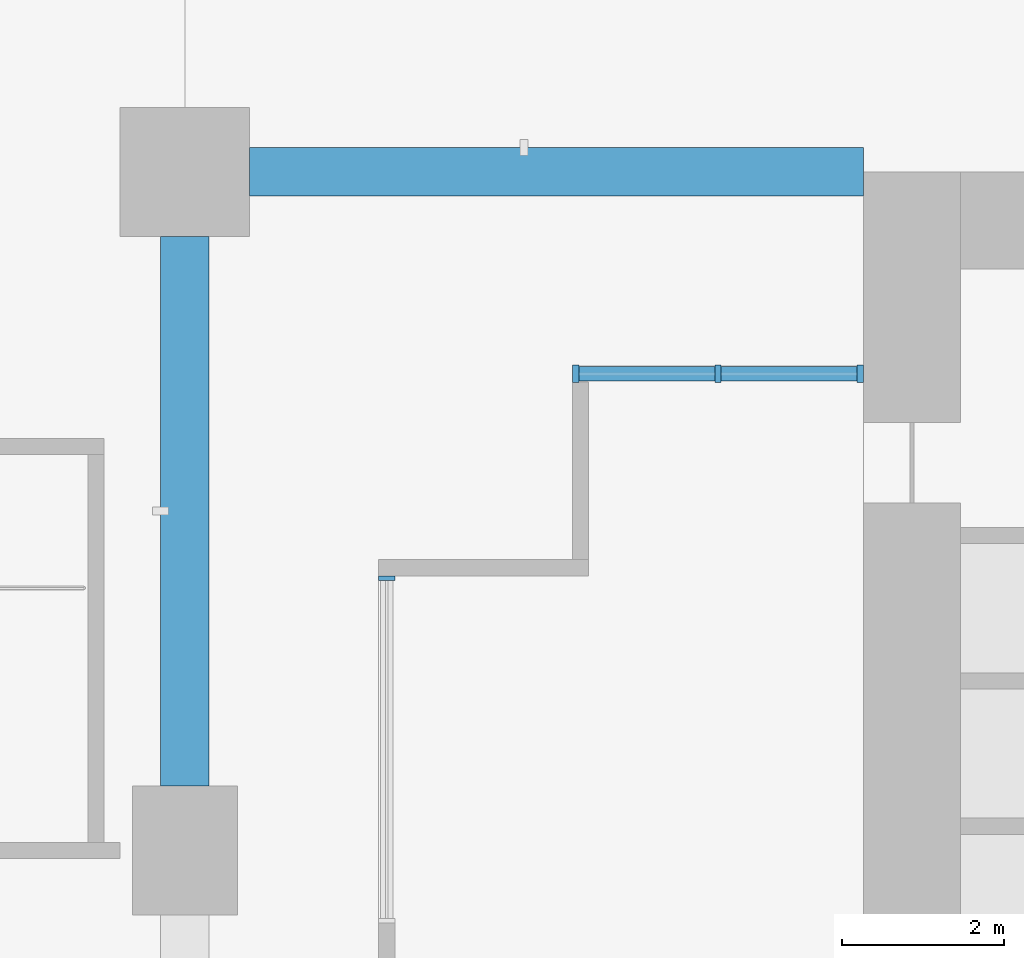
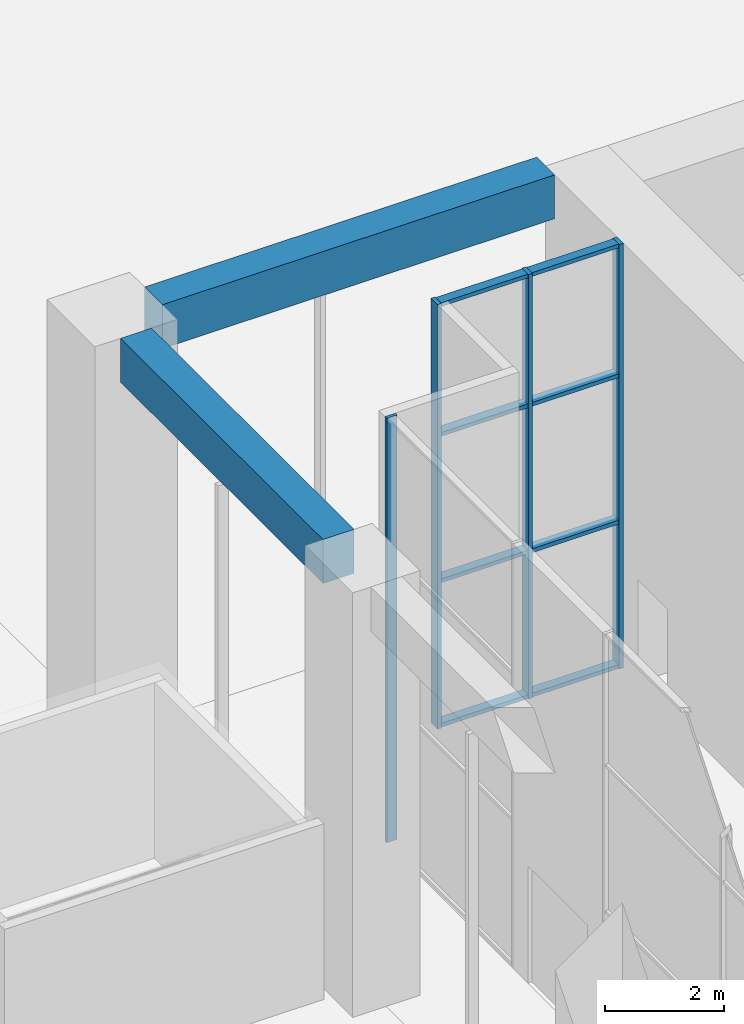
# One storey, part 12 of 46: 12 members, 2 beams, 2 elements without a shape of their own.
"""IFC4 building model written with IfcOpenShell, lengths in metres."""

from ifc_helpers import new_model, si_unit, direction, frame, origin, origin_2d, place, context, subcontext, project, spatial, rectangle, extrude, material, material_profile, profile_set, type_object, element, aggregate, save


model = new_model("IFC4")

# Units and contexts
model_context = context("Model", 3, precision=1e-05, world=origin(), true_north=direction((0.0, 1.0)))
body_context = subcontext(model_context, "Body", "Model", "MODEL_VIEW")
ifc_project = project(units=[si_unit("LENGTHUNIT", "METRE"), si_unit("AREAUNIT", "SQUARE_METRE"), si_unit("VOLUMEUNIT", "CUBIC_METRE"), si_unit("PLANEANGLEUNIT", "RADIAN"), si_unit("MASSUNIT", "GRAM", prefix="KILO")], contexts=[model_context])

# Site, building, storey
site_placement = place(None, origin())
site = spatial("IfcSite", under=ifc_project, at=site_placement, CompositionType="ELEMENT")
building_placement = place(site_placement, origin())
building = spatial("IfcBuilding", under=site, at=building_placement, Name="Vermilion Gate Residences", CompositionType="ELEMENT")
storey_placement = place(building_placement, origin())
storey = spatial("IfcBuildingStorey", under=building, at=storey_placement, Name="L00", CompositionType="ELEMENT", Elevation=0.0)

# Curtain wall, members
ifc_material_1 = material(Name="Aluminium and glass", Category="aluminium")
curtain_wall_type_1 = type_object("IfcCurtainWallType", Name="LOBBY ENTRANCE GLAZING CURTAIN WALL", PredefinedType="NOTDEFINED", material=ifc_material_1)
curtain_wall_1_placement = place(storey_placement, origin())
curtain_wall_1 = element("IfcCurtainWall", 1, at=curtain_wall_1_placement, inside=storey, type_object=curtain_wall_type_1, Name="Lobby Entrance Glazing 0", PredefinedType="NOTDEFINED")
ifc_material_2 = material(Name="Aluminium", Category="aluminium")
ifc_material_profile_1 = material_profile(ifc_material_2, rectangle(XDim=0.219970703125, YDim=0.080078125, at=origin_2d()), Name="MULLION 80 X 220")
ifc_profile_set_1 = profile_set([ifc_material_profile_1], Name="Aluminium")
member_type_1 = type_object("IfcMemberType", Name="LOBBY ENTRANCE GLAZING MULLION 80 X 220", PredefinedType="MULLION", material=ifc_profile_set_1)
member_1_placement = place(storey_placement, frame((8.360107421875, 56.300048828125, 0.0), z_axis=(0.0, 0.0, 1.0), x_axis=(0.0, -1.0, 0.0)))
member_1 = element("IfcMember", 2, at=member_1_placement, type_object=member_type_1, Name="ECW5 mullion 1", PredefinedType="MULLION", context=body_context, shape_type="SweptSolid", body=[
    extrude(rectangle(XDim=0.219970703125, YDim=0.080078125, at=origin_2d()), origin(), (0.0, 0.0, 1.0), 8.699951171875),
])
member_2_placement = place(storey_placement, frame((6.60009765625, 56.300048828125, 0.0), z_axis=(0.0, 0.0, 1.0), x_axis=(0.0, -1.0, 0.0)))
member_2 = element("IfcMember", 3, at=member_2_placement, type_object=member_type_1, Name="ECW5 mullion 2", PredefinedType="MULLION", context=body_context, shape_type="SweptSolid", body=[
    extrude(rectangle(XDim=0.219970703125, YDim=0.080078125, at=origin_2d()), origin(), (0.0, 0.0, 1.0), 8.699951171875),
])
member_3_placement = place(storey_placement, frame((4.840087890625, 56.300048828125, 0.0), z_axis=(0.0, 0.0, 1.0), x_axis=(0.0, -1.0, 0.0)))
member_3 = element("IfcMember", 4, at=member_3_placement, type_object=member_type_1, Name="ECW5 mullion 3", PredefinedType="MULLION", context=body_context, shape_type="SweptSolid", body=[
    extrude(rectangle(XDim=0.219970703125, YDim=0.080078125, at=origin_2d()), origin(), (0.0, 0.0, 1.0), 8.699951171875),
])
ifc_material_3 = material(Name="Aluminium", Category="aluminium")
ifc_material_profile_2 = material_profile(ifc_material_3, rectangle(XDim=0.179931640625, YDim=0.080078125, at=origin_2d()), Name="TRANSOM 80 X 180")
ifc_profile_set_2 = profile_set([ifc_material_profile_2], Name="Aluminium")
member_type_2 = type_object("IfcMemberType", Name="LOBBY ENTRANCE GLAZING TRANSOM 80 X 180", PredefinedType="MULLION", material=ifc_profile_set_2)
member_4_placement = place(storey_placement, frame((8.320068359375, 56.300048828125, 0.0400390625), z_axis=(-1.0, 0.0, 0.0), x_axis=(0.0, -1.0, 0.0)))
member_4 = element("IfcMember", 5, at=member_4_placement, type_object=member_type_2, Name="ECW5 transom 1.1", PredefinedType="MULLION", context=body_context, shape_type="SweptSolid", body=[
    extrude(rectangle(XDim=0.179931640625, YDim=0.080078125, at=origin_2d()), origin(), (0.0, 0.0, 1.0), 1.68017578125),
])
member_5_placement = place(storey_placement, frame((8.320068359375, 56.300048828125, 3.0), z_axis=(-1.0, 0.0, 0.0), x_axis=(0.0, -1.0, 0.0)))
member_5 = element("IfcMember", 6, at=member_5_placement, type_object=member_type_2, Name="ECW5 transom 1.2", PredefinedType="MULLION", context=body_context, shape_type="SweptSolid", body=[
    extrude(rectangle(XDim=0.179931640625, YDim=0.080078125, at=origin_2d()), origin(), (0.0, 0.0, 1.0), 1.68017578125),
])
member_6_placement = place(storey_placement, frame((8.320068359375, 56.300048828125, 6.0), z_axis=(-1.0, 0.0, 0.0), x_axis=(0.0, -1.0, 0.0)))
member_6 = element("IfcMember", 7, at=member_6_placement, type_object=member_type_2, Name="ECW5 transom 1.3", PredefinedType="MULLION", context=body_context, shape_type="SweptSolid", body=[
    extrude(rectangle(XDim=0.179931640625, YDim=0.080078125, at=origin_2d()), origin(), (0.0, 0.0, 1.0), 1.68017578125),
])
member_7_placement = place(storey_placement, frame((8.320068359375, 56.300048828125, 8.659912109375), z_axis=(-1.0, 0.0, 0.0), x_axis=(0.0, -1.0, 0.0)))
member_7 = element("IfcMember", 8, at=member_7_placement, type_object=member_type_2, Name="ECW5 transom 1.4", PredefinedType="MULLION", context=body_context, shape_type="SweptSolid", body=[
    extrude(rectangle(XDim=0.179931640625, YDim=0.080078125, at=origin_2d()), origin(), (0.0, 0.0, 1.0), 1.68017578125),
])
member_8_placement = place(storey_placement, frame((6.56005859375, 56.300048828125, 0.0400390625), z_axis=(-1.0, 0.0, 0.0), x_axis=(0.0, -1.0, 0.0)))
member_8 = element("IfcMember", 9, at=member_8_placement, type_object=member_type_2, Name="ECW5 transom 2.1", PredefinedType="MULLION", context=body_context, shape_type="SweptSolid", body=[
    extrude(rectangle(XDim=0.179931640625, YDim=0.080078125, at=origin_2d()), origin(), (0.0, 0.0, 1.0), 1.68017578125),
])
member_9_placement = place(storey_placement, frame((6.56005859375, 56.300048828125, 3.0), z_axis=(-1.0, 0.0, 0.0), x_axis=(0.0, -1.0, 0.0)))
member_9 = element("IfcMember", 10, at=member_9_placement, type_object=member_type_2, Name="ECW5 transom 2.2", PredefinedType="MULLION", context=body_context, shape_type="SweptSolid", body=[
    extrude(rectangle(XDim=0.179931640625, YDim=0.080078125, at=origin_2d()), origin(), (0.0, 0.0, 1.0), 1.68017578125),
])
member_10_placement = place(storey_placement, frame((6.56005859375, 56.300048828125, 6.0), z_axis=(-1.0, 0.0, 0.0), x_axis=(0.0, -1.0, 0.0)))
member_10 = element("IfcMember", 11, at=member_10_placement, type_object=member_type_2, Name="ECW5 transom 2.3", PredefinedType="MULLION", context=body_context, shape_type="SweptSolid", body=[
    extrude(rectangle(XDim=0.179931640625, YDim=0.080078125, at=origin_2d()), origin(), (0.0, 0.0, 1.0), 1.68017578125),
])
member_11_placement = place(storey_placement, frame((6.56005859375, 56.300048828125, 8.659912109375), z_axis=(-1.0, 0.0, 0.0), x_axis=(0.0, -1.0, 0.0)))
member_11 = element("IfcMember", 12, at=member_11_placement, type_object=member_type_2, Name="ECW5 transom 2.4", PredefinedType="MULLION", context=body_context, shape_type="SweptSolid", body=[
    extrude(rectangle(XDim=0.179931640625, YDim=0.080078125, at=origin_2d()), origin(), (0.0, 0.0, 1.0), 1.68017578125),
])
aggregate(curtain_wall_1, [member_1, member_2, member_3, member_4, member_5, member_6, member_7, member_8, member_9, member_10, member_11])

# Curtain wall, member
ifc_material_4 = material(Name="Aluminium and glass", Category="aluminium")
curtain_wall_type_2 = type_object("IfcCurtainWallType", Name="PODIUM SHOPFRONT CURTAIN WALL", PredefinedType="NOTDEFINED", material=ifc_material_4)
curtain_wall_2_placement = place(storey_placement, origin())
curtain_wall_2 = element("IfcCurtainWall", 13, at=curtain_wall_2_placement, inside=storey, type_object=curtain_wall_type_2, Name="Podium Shopfront 30", PredefinedType="NOTDEFINED")
ifc_material_5 = material(Name="Aluminium", Category="aluminium")
ifc_material_profile_3 = material_profile(ifc_material_5, rectangle(XDim=0.199951171875, YDim=0.06005859375, at=origin_2d()), Name="MULLION 60 X 200")
ifc_profile_set_3 = profile_set([ifc_material_profile_3], Name="Aluminium")
member_type_3 = type_object("IfcMemberType", Name="PODIUM SHOPFRONT MULLION 60 X 200", PredefinedType="MULLION", material=ifc_profile_set_3)
member_12_placement = place(storey_placement, frame((2.5, 53.77001953125, 0.0), z_axis=(0.0, 0.0, 1.0), x_axis=(1.0, 0.0, 0.0)))
member_12 = element("IfcMember", 14, at=member_12_placement, type_object=member_type_3, Name="ECW1 mullion 1", PredefinedType="MULLION", context=body_context, shape_type="SweptSolid", body=[
    extrude(rectangle(XDim=0.199951171875, YDim=0.06005859375, at=origin_2d()), origin(), (0.0, 0.0, 1.0), 8.699951171875),
])
aggregate(curtain_wall_2, [member_12])

# Beams
ifc_material_6 = material(Name="Concrete C60 red-oxide pigmented", Category="concrete")
ifc_material_profile_4 = material_profile(ifc_material_6, rectangle(XDim=0.60009765625, YDim=0.89990234375, at=origin_2d()), Name="RC-600x900")
ifc_profile_set_4 = profile_set([ifc_material_profile_4], Name="Concrete C60 red-oxide pigmented")
beam_type = type_object("IfcBeamType", Name="RC EDGE BEAM 600 X 900 C60", PredefinedType="BEAM", material=ifc_profile_set_4)
beam_1_placement = place(storey_placement, frame((0.800048828125, 58.800048828125, 8.25), z_axis=(1.0, 0.0, 0.0), x_axis=(0.0, 1.0, 0.0)))
element("IfcBeam", 15, at=beam_1_placement, inside=storey, type_object=beam_type, Name="Edge beam L00 8", PredefinedType="BEAM", context=body_context, shape_type="SweptSolid", body=[
    extrude(rectangle(XDim=0.60009765625, YDim=0.89990234375, at=origin_2d()), origin(), (0.0, 0.0, 1.0), 7.599853515625),
])
beam_2_placement = place(storey_placement, frame((0.0, 51.199951171875, 8.25), z_axis=(0.0, 1.0, 0.0), x_axis=(-1.0, 0.0, 0.0)))
element("IfcBeam", 16, at=beam_2_placement, inside=storey, type_object=beam_type, Name="Edge beam L00 9", PredefinedType="BEAM", context=body_context, shape_type="SweptSolid", body=[
    extrude(rectangle(XDim=0.60009765625, YDim=0.89990234375, at=origin_2d()), origin(), (0.0, 0.0, 1.0), 6.800048828125),
])

save(model, "model.ifc")
